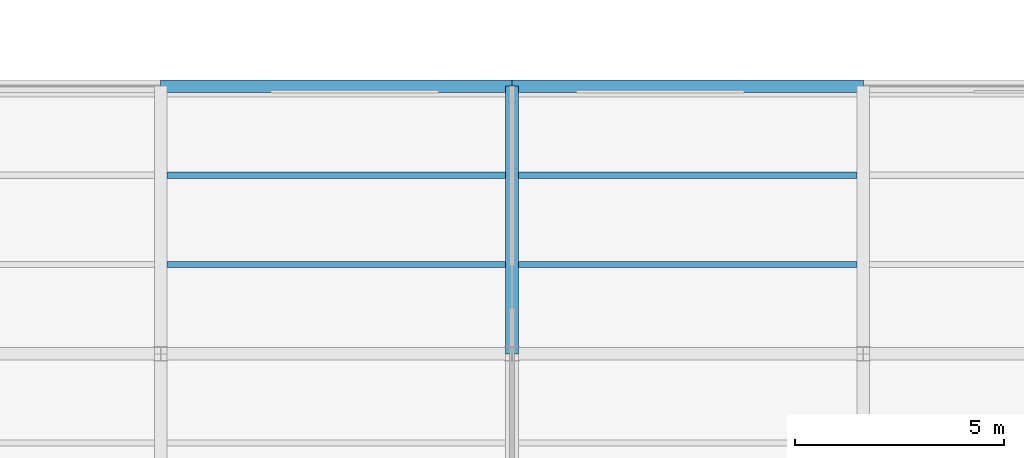
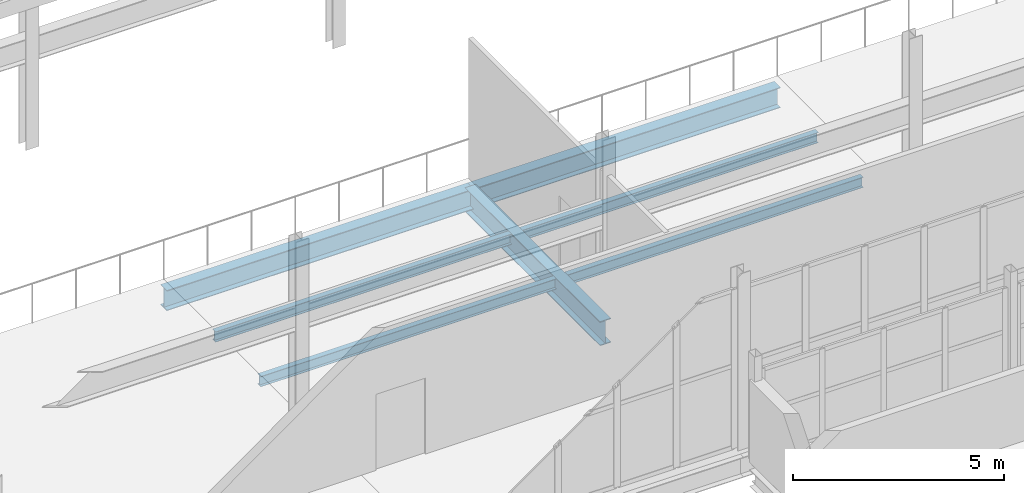
# One storey, part 74 of 218: 7 beams.
"""IFC4 building model written with IfcOpenShell, lengths in metres."""

from ifc_helpers import new_model, si_unit, direction, frame, origin, origin_2d, place, context, subcontext, project, spatial, i_section, extrude, material, material_profile, profile_set, type_object, element, save


model = new_model("IFC4")

# Units and contexts
model_context = context("Model", 3, precision=1e-05, world=origin(), true_north=direction((0.0, 1.0)))
body_context = subcontext(model_context, "Body", "Model", "MODEL_VIEW")
ifc_project = project(units=[si_unit("LENGTHUNIT", "METRE"), si_unit("AREAUNIT", "SQUARE_METRE"), si_unit("VOLUMEUNIT", "CUBIC_METRE"), si_unit("PLANEANGLEUNIT", "RADIAN"), si_unit("MASSUNIT", "GRAM", prefix="KILO")], contexts=[model_context])

# Site, building, storey
site_placement = place(None, origin())
site = spatial("IfcSite", under=ifc_project, at=site_placement, CompositionType="ELEMENT")
building_placement = place(site_placement, origin())
building = spatial("IfcBuilding", under=site, at=building_placement, Name="Kazenagashi Tramway Depot", CompositionType="ELEMENT")
storey_placement = place(building_placement, frame((0.0, 0.0, 6.0)))
storey = spatial("IfcBuildingStorey", under=building, at=storey_placement, Name="L02", CompositionType="ELEMENT", Elevation=6.0)

# Beams
ifc_material_1 = material(Name="Steel SN490B", Category="steel")
ifc_material_profile_1 = material_profile(ifc_material_1, i_section(OverallWidth=0.3, OverallDepth=0.7, WebThickness=0.013, FlangeThickness=0.024, at=origin_2d()), Name="H-700x300x13x24")
ifc_profile_set_1 = profile_set([ifc_material_profile_1], Name="Steel SN490B")
beam_type_1 = type_object("IfcBeamType", Name="G-02", PredefinedType="BEAM", material=ifc_profile_set_1)
beam_placement = place(storey_placement, frame((103.6, 22.9, -0.6), z_axis=(0.0, 1.0, 0.0), x_axis=(-1.0, 0.0, 0.0)))
element("IfcBeam", 1, at=beam_placement, inside=storey, type_object=beam_type_1, Name="Beam G-02 BM-1074", PredefinedType="BEAM", context=body_context, shape_type="SweptSolid", body=[
    extrude(i_section(OverallWidth=0.3, OverallDepth=0.7, WebThickness=0.013, FlangeThickness=0.024, at=origin_2d()), origin(), (0.0, 0.0, 1.0), 6.4),
])
ifc_material_2 = material(Name="Steel SN400B", Category="steel")
ifc_material_profile_2 = material_profile(ifc_material_2, i_section(OverallWidth=0.15, OverallDepth=0.3, WebThickness=0.0065, FlangeThickness=0.009, at=origin_2d()), Name="H-300x150x6.5x9")
ifc_profile_set_2 = profile_set([ifc_material_profile_2], Name="Steel SN400B")
beam_type_2 = type_object("IfcBeamType", Name="J-02", PredefinedType="JOIST", material=ifc_profile_set_2)
for number, where, z_axis, x_axis, name in (
    (2, (95.35, 25.033, -0.4), (1.0, 0.0, 0.0), (0.0, 1.0, 0.0), "Beam J-02 BM-1069"),
    (3, (95.35, 27.167, -0.4), (1.0, 0.0, 0.0), (0.0, 1.0, 0.0), "Beam J-02 BM-1070"),
    (4, (103.75, 25.033, -0.4), (1.0, 0.0, 0.0), (0.0, 1.0, 0.0), "Beam J-02 BM-1075"),
    (5, (103.75, 27.167, -0.4), (1.0, 0.0, 0.0), (0.0, 1.0, 0.0), "Beam J-02 BM-1076"),
):
    element("IfcBeam", number, at=place(storey_placement, frame(where, z_axis=z_axis, x_axis=x_axis)), inside=storey, type_object=beam_type_2, Name=name, PredefinedType="JOIST", context=body_context, shape_type="SweptSolid", body=[
        extrude(i_section(OverallWidth=0.15, OverallDepth=0.3, WebThickness=0.0065, FlangeThickness=0.009, at=origin_2d()), origin(), (0.0, 0.0, 1.0), 8.1),
    ])
ifc_material_profile_3 = material_profile(ifc_material_1, i_section(OverallWidth=0.3, OverallDepth=0.588, WebThickness=0.012, FlangeThickness=0.02, at=origin_2d()), Name="H-588x300x12x20")
ifc_profile_set_3 = profile_set([ifc_material_profile_3], Name="Steel SN490B")
beam_type_3 = type_object("IfcBeamType", Name="SP-01", PredefinedType="SPANDREL", material=ifc_profile_set_3)
for number, where, z_axis, x_axis, name in (
    (6, (95.2, 29.3, -0.544), (1.0, 0.0, 0.0), (0.0, 1.0, 0.0), "Beam SP-01 BM-1024"),
    (7, (103.6, 29.3, -0.544), (1.0, 0.0, 0.0), (0.0, 1.0, 0.0), "Beam SP-01 BM-1025"),
):
    element("IfcBeam", number, at=place(storey_placement, frame(where, z_axis=z_axis, x_axis=x_axis)), inside=storey, type_object=beam_type_3, Name=name, PredefinedType="SPANDREL", context=body_context, shape_type="SweptSolid", body=[
        extrude(i_section(OverallWidth=0.3, OverallDepth=0.588, WebThickness=0.012, FlangeThickness=0.02, at=origin_2d()), origin(), (0.0, 0.0, 1.0), 8.4),
    ])

save(model, "model.ifc")
